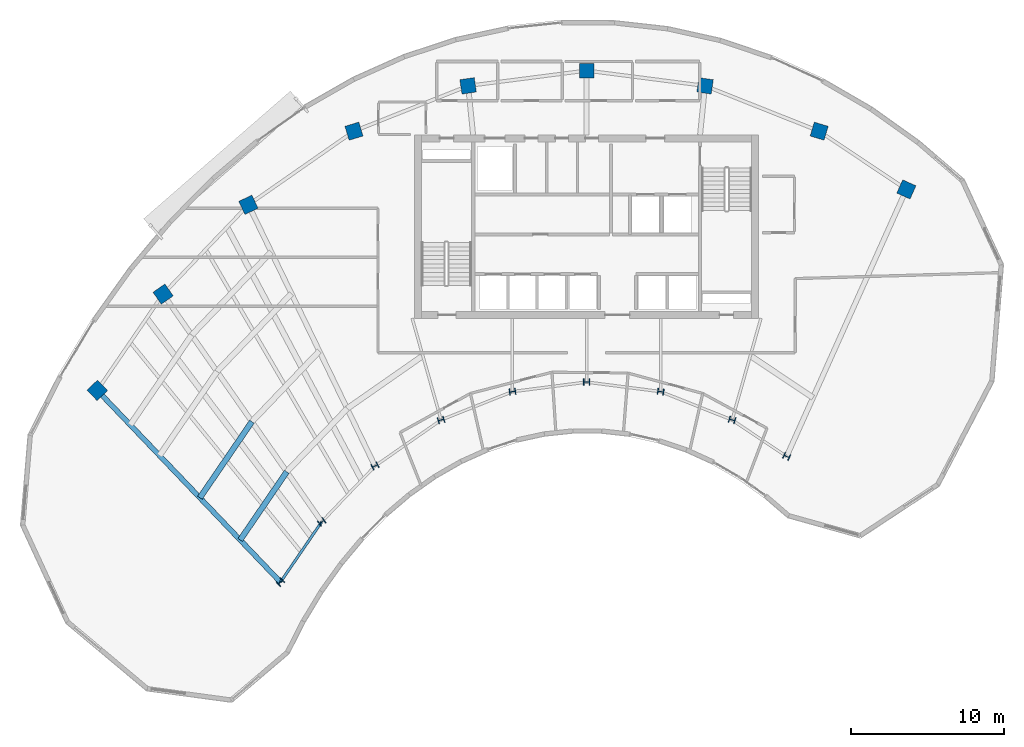
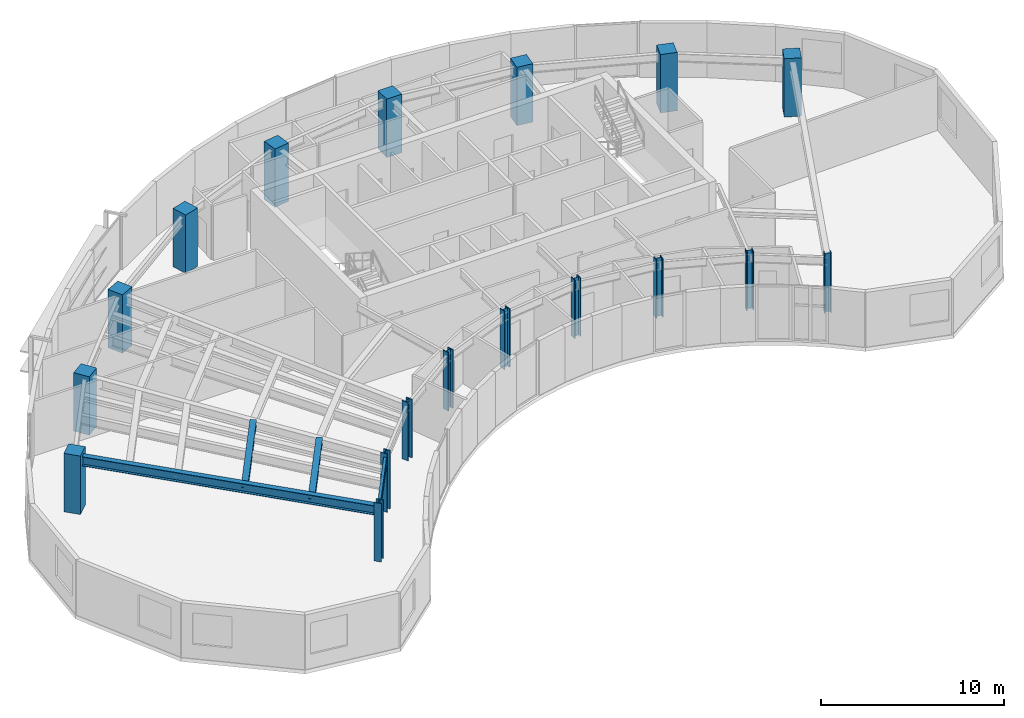
# One storey, part 1 of 12: 18 columns, 4 beams.
"""IFC4 building model written with IfcOpenShell, lengths in metres."""

from ifc_helpers import new_model, si_unit, direction, frame, origin, origin_2d, place, context, subcontext, project, spatial, rectangle, i_section, extrude, source, transform, mapped, material, material_profile, profile_set, type_object, type_shapes, element, save


model = new_model("IFC4")

# Units and contexts
model_context = context("Model", 3, precision=1e-05, world=origin(), true_north=direction((0.0, 1.0)))
body_context = subcontext(model_context, "Body", "Model", "MODEL_VIEW")
ifc_project = project(units=[si_unit("LENGTHUNIT", "METRE"), si_unit("AREAUNIT", "SQUARE_METRE"), si_unit("VOLUMEUNIT", "CUBIC_METRE"), si_unit("PLANEANGLEUNIT", "RADIAN"), si_unit("MASSUNIT", "GRAM", prefix="KILO")], contexts=[model_context])

# Site, building, storey
site_placement = place(None, origin())
site = spatial("IfcSite", under=ifc_project, at=site_placement, CompositionType="ELEMENT")
building_placement = place(site_placement, origin())
building = spatial("IfcBuilding", under=site, at=building_placement, Name="Breltana Convention Tower", CompositionType="ELEMENT")
storey_placement = place(building_placement, frame((0.0, 0.0, 243.0)))
storey = spatial("IfcBuildingStorey", under=building, at=storey_placement, Name="L59", CompositionType="ELEMENT", Elevation=243.0)

# Columns
ifc_material_1 = material(Name="Steel ASTM A992 Grade 50", Category="steel")
ifc_material_profile_1 = material_profile(ifc_material_1, i_section(OverallWidth=0.406005859375, OverallDepth=0.416015625, WebThickness=0.02978515625, FlangeThickness=0.048095703125, at=origin_2d()), Name="W14X257")
ifc_profile_set_1 = profile_set([ifc_material_profile_1], Name="Steel ASTM A992 Grade 50")
column_type_1 = type_object("IfcColumnType", Name="COL-STL-W14X257", PredefinedType="COLUMN", material=ifc_profile_set_1)
shared_shape_1 = source(origin(), body_context, "Body", "SweptSolid", [
    extrude(i_section(OverallWidth=0.406005859375, OverallDepth=0.416015625, WebThickness=0.02978515625, FlangeThickness=0.048095703125, at=origin_2d()), origin(), (0.0, 0.0, 1.0), 3.89990234375),
])
for number, where, z_axis, x_axis, name in (
    (1, (27.984619140625, 42.95458984375, 0.0), (0.0, 0.0, 1.0), (-0.690756218984, 0.723087716626, 0.0), "L59 Tower Column R01-IN"),
    (2, (30.67724609375, 46.892333984375, 0.0), (0.0, 0.0, 1.0), (-0.571143442153, 0.820850271661, 0.0), "L59 Tower Column R02-IN"),
    (3, (34.166259765625, 50.544921875, 0.0), (0.0, 0.0, 1.0), (-0.436173672171, 0.899862504889, 0.0), "L59 Tower Column R03-IN"),
    (4, (38.485107421875, 53.5576171875, 0.0), (0.0, 0.0, 1.0), (-0.288697611798, 0.957420330337, 0.0), "L59 Tower Column R04-IN"),
    (5, (43.153564453125, 55.41064453125, 0.0), (0.0, 0.0, 1.0), (-0.143492621991, 0.98965138682, 0.0), "L59 Tower Column R05-IN"),
    (6, (48.0, 56.035888671875, 0.0), (0.0, 0.0, 1.0), (0.0, 1.0, 0.0), "L59 Tower Column R06-IN"),
    (7, (52.846435546875, 55.41064453125, 0.0), (0.0, 0.0, 1.0), (0.143492621991, 0.98965138682, 0.0), "L59 Tower Column R07-IN"),
    (8, (57.514892578125, 53.5576171875, 0.0), (0.0, 0.0, 1.0), (0.288697611798, 0.957420330337, 0.0), "L59 Tower Column R08-IN"),
    (9, (61.08203125, 51.174560546875, 0.0), (0.0, 0.0, 1.0), (0.409126902895, 0.912477494148, 0.0), "L59 Tower Column R09-IN"),
):
    element("IfcColumn", number, at=place(storey_placement, frame(where, z_axis=z_axis, x_axis=x_axis)), inside=storey, type_object=column_type_1, Name=name, PredefinedType="COLUMN", context=body_context, shape_type="MappedRepresentation", body=[
        mapped(shared_shape_1, transform((0.0, 0.0, 0.0), scale=1.0)),
    ])
ifc_material_2 = material(Name="Concrete C50/60", Category="concrete")
ifc_material_profile_2 = material_profile(ifc_material_2, rectangle(XDim=0.949951171875, YDim=0.949951171875, at=origin_2d()), Name="RC-COL-950X950")
ifc_profile_set_2 = profile_set([ifc_material_profile_2], Name="Concrete C50/60")
column_type_2 = type_object("IfcColumnType", Name="COL-RC-950", PredefinedType="COLUMN", material=ifc_profile_set_2)
shared_shape_2 = source(origin(), body_context, "Body", "SweptSolid", [
    extrude(rectangle(XDim=0.949951171875, YDim=0.949951171875, at=origin_2d()), origin(), (0.0, 0.0, 1.0), 3.89990234375),
])
for number, where, z_axis, x_axis, name in (
    (10, (16.0068359375, 55.494384765625, 0.0), (0.0, 0.0, 1.0), (-0.690756218984, 0.723087716626, 0.0), "L59 Tower Column R01-OUT"),
    (11, (20.310791015625, 61.78857421875, 0.0), (0.0, 0.0, 1.0), (-0.571143442153, 0.820850271661, 0.0), "L59 Tower Column R02-OUT"),
    (12, (25.8876953125, 67.626953125, 0.0), (0.0, 0.0, 1.0), (-0.436173672171, 0.899862504889, 0.0), "L59 Tower Column R03-OUT"),
    (13, (32.791015625, 72.4423828125, 0.0), (0.0, 0.0, 1.0), (-0.288697611798, 0.957420330337, 0.0), "L59 Tower Column R04-OUT"),
    (14, (40.253173828125, 75.404296875, 0.0), (0.0, 0.0, 1.0), (-0.143492621991, 0.98965138682, 0.0), "L59 Tower Column R05-OUT"),
    (15, (48.0, 76.404052734375, 0.0), (0.0, 0.0, 1.0), (0.0, 1.0, 0.0), "L59 Tower Column R06-OUT"),
    (16, (55.746826171875, 75.404296875, 0.0), (0.0, 0.0, 1.0), (0.143492621991, 0.98965138682, 0.0), "L59 Tower Column R07-OUT"),
    (17, (63.208984375, 72.4423828125, 0.0), (0.0, 0.0, 1.0), (0.288697611798, 0.957420330337, 0.0), "L59 Tower Column R08-OUT"),
    (18, (68.910400390625, 68.63330078125, 0.0), (0.0, 0.0, 1.0), (0.409126902895, 0.912477494148, 0.0), "L59 Tower Column R09-OUT"),
):
    element("IfcColumn", number, at=place(storey_placement, frame(where, z_axis=z_axis, x_axis=x_axis)), inside=storey, type_object=column_type_2, Name=name, PredefinedType="COLUMN", context=body_context, shape_type="MappedRepresentation", body=[
        mapped(shared_shape_2, transform((0.0, 0.0, 0.0), scale=1.0)),
    ])

# Beams
ifc_material_profile_3 = material_profile(ifc_material_1, i_section(OverallWidth=0.166015625, OverallDepth=0.534912109375, WebThickness=0.01025390625, FlangeThickness=0.0166015625, at=origin_2d()), Name="W21X57")
ifc_profile_set_3 = profile_set([ifc_material_profile_3], Name="Steel ASTM A992 Grade 50")
beam_type_1 = type_object("IfcBeamType", Name="BM-BM-W21X57", PredefinedType="BEAM", material=ifc_profile_set_3)
shared_shape_3 = source(origin(), body_context, "Body", "SweptSolid", [
    extrude(i_section(OverallWidth=0.166015625, OverallDepth=0.534912109375, WebThickness=0.01025390625, FlangeThickness=0.0166015625, at=origin_2d()), origin(), (0.0, 0.0, 1.0), 4.770263671875),
])
beam_1_placement = place(storey_placement, frame((27.984619140625, 42.95458984375, 3.382568359375), z_axis=(0.564452719055, 0.82546540082, 0.0), x_axis=(-0.82546540082, 0.564452719055, 0.0)))
element("IfcBeam", 19, at=beam_1_placement, inside=storey, type_object=beam_type_1, Name="L59 Inner Ring Beam 01", PredefinedType="BEAM", context=body_context, shape_type="MappedRepresentation", body=[
    mapped(shared_shape_3, transform((0.0, 0.0, 0.0), scale=1.0)),
])
ifc_material_profile_4 = material_profile(ifc_material_1, i_section(OverallWidth=0.368896484375, OverallDepth=0.35595703125, WebThickness=0.01123046875, FlangeThickness=0.01806640625, at=origin_2d()), Name="W14X90")
ifc_profile_set_4 = profile_set([ifc_material_profile_4], Name="Steel ASTM A992 Grade 50")
beam_type_2 = type_object("IfcBeamType", Name="BM-JSG-09", PredefinedType="JOIST", material=ifc_profile_set_4)
shared_shape_4 = source(origin(), body_context, "Body", "SweptSolid", [
    extrude(i_section(OverallWidth=0.368896484375, OverallDepth=0.35595703125, WebThickness=0.01123046875, FlangeThickness=0.01806640625, at=origin_2d()), origin(), (0.0, 0.0, 1.0), 5.3984375),
])
beam_2_placement = place(storey_placement, frame((25.349365234375, 45.71337890625, 3.471923828125), z_axis=(0.564440705434, 0.825473615599, 0.0), x_axis=(-0.825473615599, 0.564440705434, 0.0)))
element("IfcBeam", 20, at=beam_2_placement, inside=storey, type_object=beam_type_2, Name="L59 Composite Floor Joist 01.1", PredefinedType="JOIST", context=body_context, shape_type="MappedRepresentation", body=[
    mapped(shared_shape_4, transform((0.0, 0.0, 0.0), scale=1.0)),
])
shared_shape_5 = source(origin(), body_context, "Body", "SweptSolid", [
    extrude(i_section(OverallWidth=0.368896484375, OverallDepth=0.35595703125, WebThickness=0.01123046875, FlangeThickness=0.01806640625, at=origin_2d()), origin(), (0.0, 0.0, 1.0), 6.0263671875),
])
beam_3_placement = place(storey_placement, frame((22.71435546875, 48.47216796875, 3.471923828125), z_axis=(0.564450071397, 0.825467211281, 0.0), x_axis=(-0.825467211281, 0.564450071397, 0.0)))
element("IfcBeam", 21, at=beam_3_placement, inside=storey, type_object=beam_type_2, Name="L59 Composite Floor Joist 01.2", PredefinedType="JOIST", context=body_context, shape_type="MappedRepresentation", body=[
    mapped(shared_shape_5, transform((0.0, 0.0, 0.0), scale=1.0)),
])
ifc_material_profile_5 = material_profile(ifc_material_1, i_section(OverallWidth=0.326904296875, OverallDepth=0.6220703125, WebThickness=0.015380859375, FlangeThickness=0.0244140625, at=origin_2d()), Name="W24X131")
ifc_profile_set_5 = profile_set([ifc_material_profile_5], Name="Steel ASTM A992 Grade 50")
beam_type_3 = type_object("IfcBeamType", Name="BM-RG-W24X131", PredefinedType="USERDEFINED", material=ifc_profile_set_5)
shared_shape_6 = source(origin(), body_context, "Body", "SweptSolid", [
    extrude(i_section(OverallWidth=0.326904296875, OverallDepth=0.6220703125, WebThickness=0.015380859375, FlangeThickness=0.0244140625, at=origin_2d()), origin(), (0.0, 0.0, 1.0), 17.341064453125),
])
type_shapes(beam_type_3, [shared_shape_6])
beam_4_placement = place(storey_placement, frame((27.984619140625, 42.95458984375, 3.339111328125), z_axis=(-0.690716462293, 0.723125693581, 0.0), x_axis=(-0.723125693581, -0.690716462293, 0.0)))
element("IfcBeam", 22, at=beam_4_placement, inside=storey, type_object=beam_type_3, Name="L59 Radial Floor Girder R01", ObjectType="GIRDER", PredefinedType="USERDEFINED", context=body_context, shape_type="MappedRepresentation", body=[
    mapped(shared_shape_6, transform((0.0, 0.0, 0.0), scale=1.0)),
])

save(model, "model.ifc")
